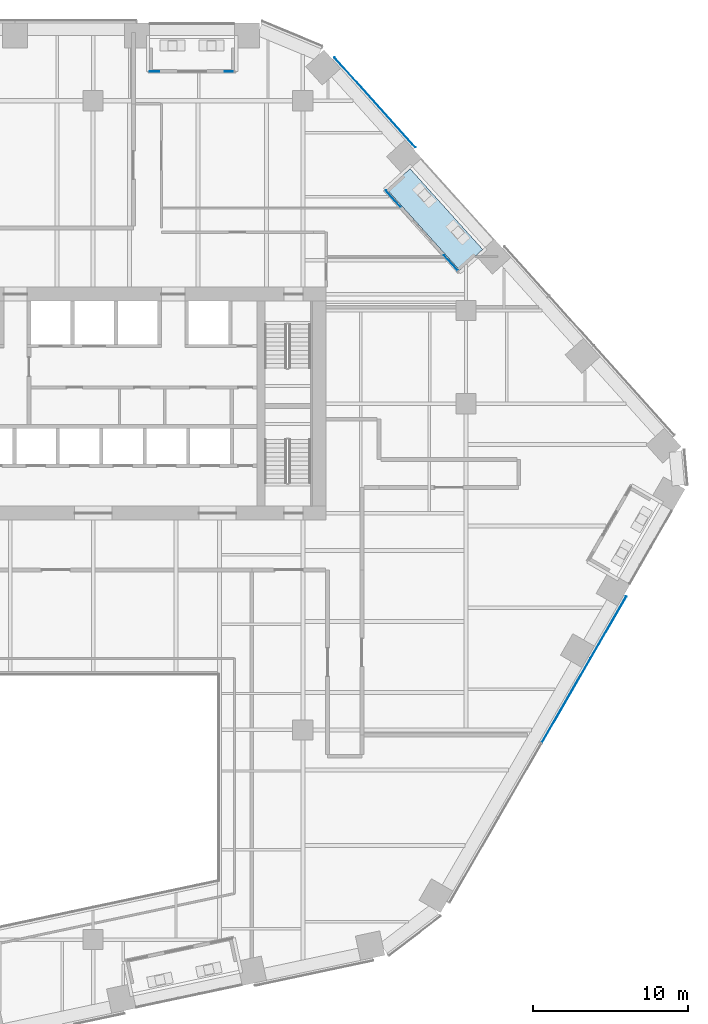
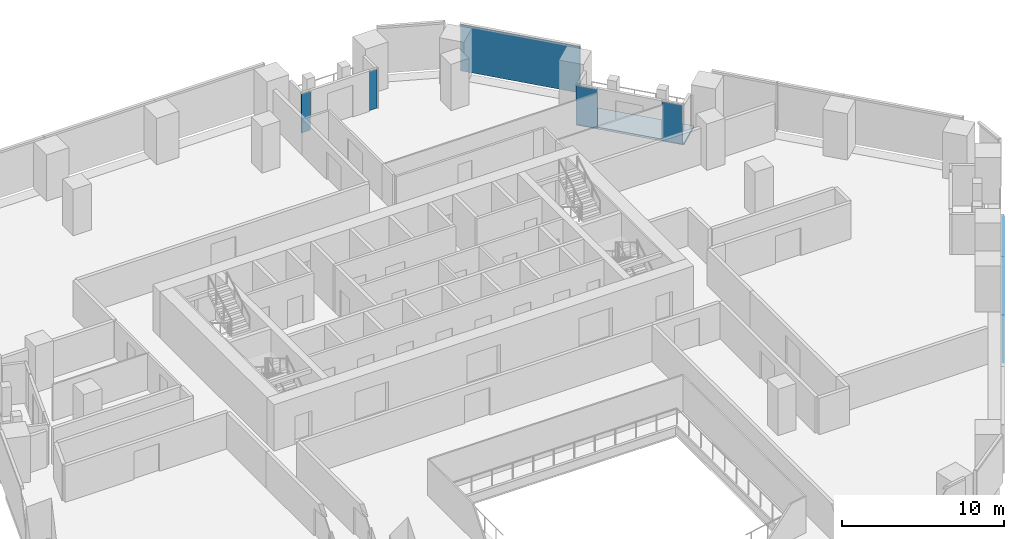
# One storey, part 18 of 28: 7 plates, 1 slab, 4 elements without a shape of their own.
"""IFC4 building model written with IfcOpenShell, lengths in metres."""

from ifc_helpers import new_model, si_unit, direction, frame, origin, origin_2d, place, context, subcontext, project, spatial, polyline, rectangle, outline, extrude, material, layer, layer_set, type_object, element, aggregate, save


model = new_model("IFC4")

# Units and contexts
model_context = context("Model", 3, precision=1e-05, world=origin(), true_north=direction((0.0, 1.0)))
body_context = subcontext(model_context, "Body", "Model", "MODEL_VIEW")
ifc_project = project(units=[si_unit("LENGTHUNIT", "METRE"), si_unit("AREAUNIT", "SQUARE_METRE"), si_unit("VOLUMEUNIT", "CUBIC_METRE"), si_unit("PLANEANGLEUNIT", "RADIAN"), si_unit("MASSUNIT", "GRAM", prefix="KILO")], contexts=[model_context])

# Site, building, storey
site_placement = place(None, origin())
site = spatial("IfcSite", under=ifc_project, at=site_placement, CompositionType="ELEMENT")
building_placement = place(site_placement, origin())
building = spatial("IfcBuilding", under=site, at=building_placement, Name="Isthmus Gate Tower", CompositionType="ELEMENT")
storey_placement = place(building_placement, frame((0.0, 0.0, 84.300048828125)))
storey = spatial("IfcBuildingStorey", under=building, at=storey_placement, Name="L19", CompositionType="ELEMENT", Elevation=84.300048828125)

# Curtain wall, plates
ifc_material_1 = material(Name="Aluminium, pale champagne anodised", Category="aluminium")
ifc_layer_1 = layer(ifc_material_1, 0.199951171875)
ifc_layer_set_1 = layer_set([ifc_layer_1], Name="CW-1 UNITISED CURTAIN WALL 200 DEEP")
curtain_wall_type_1 = type_object("IfcCurtainWallType", Name="CW-1 UNITISED CURTAIN WALL 200 DEEP", PredefinedType="NOTDEFINED", material=ifc_layer_set_1)
curtain_wall_1_placement = place(storey_placement, origin())
curtain_wall_1 = element("IfcCurtainWall", 1, at=curtain_wall_1_placement, inside=storey, type_object=curtain_wall_type_1, Name="CW-1 SE L19", PredefinedType="NOTDEFINED")
ifc_material_2 = material(Name="Laminated low-iron glass, pale blue tint", Category="glass")
ifc_layer_2 = layer(ifc_material_2, 0.0400390625)
ifc_layer_set_2 = layer_set([ifc_layer_2], Name="CW-1 CLEAR GLASS LITE 40")
plate_type_1 = type_object("IfcPlateType", Name="CW-1 CLEAR GLASS LITE 40", PredefinedType="CURTAIN_PANEL", material=ifc_layer_set_2)
plate_1_placement = place(storey_placement, frame((30.4560546875, -11.608642578125, 0.0), z_axis=(0.0, 0.0, 1.0), x_axis=(0.5, 0.866025403784, 0.0)))
plate_1 = element("IfcPlate", 2, at=plate_1_placement, type_object=plate_type_1, Name="CW-1 glass lite", PredefinedType="CURTAIN_PANEL", context=body_context, shape_type="SweptSolid", body=[
    extrude(rectangle(XDim=6.278564453125, YDim=0.0400390625, at=origin_2d()), origin(), (0.0, 0.0, 1.0), 3.5),
])
plate_2_placement = place(storey_placement, frame((33.173828125, -6.901123046875, 0.0), z_axis=(0.0, 0.0, 1.0), x_axis=(0.5, 0.866025403784, 0.0)))
plate_2 = element("IfcPlate", 3, at=plate_2_placement, type_object=plate_type_1, Name="CW-1 glass lite", PredefinedType="CURTAIN_PANEL", context=body_context, shape_type="SweptSolid", body=[
    extrude(rectangle(XDim=4.5927734375, YDim=0.0400390625, at=origin_2d()), origin(), (0.0, 0.0, 1.0), 3.5),
])
aggregate(curtain_wall_1, [plate_1, plate_2])

# Curtain wall, plate
curtain_wall_2_placement = place(storey_placement, origin())
curtain_wall_2 = element("IfcCurtainWall", 4, at=curtain_wall_2_placement, inside=storey, type_object=curtain_wall_type_1, Name="CW-1 NE L19", PredefinedType="NOTDEFINED")
plate_3_placement = place(storey_placement, frame((18.14013671875, 26.900390625, 0.0), z_axis=(0.0, 0.0, 1.0), x_axis=(-0.669130606359, 0.743144825477, 0.0)))
plate_3 = element("IfcPlate", 5, at=plate_3_placement, type_object=plate_type_1, Name="CW-1 glass lite", PredefinedType="CURTAIN_PANEL", context=body_context, shape_type="SweptSolid", body=[
    extrude(rectangle(XDim=7.789306640625, YDim=0.0400390625, at=origin_2d()), origin(), (0.0, 0.0, 1.0), 3.5),
])
aggregate(curtain_wall_2, [plate_3])

# Curtain wall, plates
ifc_material_3 = material(Name="Aluminium, pale champagne anodised", Category="aluminium")
ifc_layer_3 = layer(ifc_material_3, 0.14990234375)
ifc_layer_set_3 = layer_set([ifc_layer_3], Name="CW-6 LOGGIA BACK WALL GLAZING 150 DEEP")
curtain_wall_type_2 = type_object("IfcCurtainWallType", Name="CW-6 LOGGIA BACK WALL GLAZING 150 DEEP", PredefinedType="NOTDEFINED", material=ifc_layer_set_3)
curtain_wall_3_placement = place(storey_placement, origin())
curtain_wall_3 = element("IfcCurtainWall", 6, at=curtain_wall_3_placement, inside=storey, type_object=curtain_wall_type_2, Name="CW-6 N L19", PredefinedType="NOTDEFINED")
ifc_material_4 = material(Name="Laminated low-iron glass, clear", Category="glass")
ifc_layer_4 = layer(ifc_material_4, 0.031982421875)
ifc_layer_set_4 = layer_set([ifc_layer_4], Name="CW-6 CLEAR GLASS LITE 32")
plate_type_2 = type_object("IfcPlateType", Name="CW-6 CLEAR GLASS LITE 32", PredefinedType="CURTAIN_PANEL", material=ifc_layer_set_4)
plate_4_placement = place(storey_placement, frame((8.75439453125, 28.89990234375, 0.0), z_axis=(0.0, 0.0, 1.0), x_axis=(-1.0, 0.0, 0.0)))
plate_4 = element("IfcPlate", 7, at=plate_4_placement, type_object=plate_type_2, Name="CW-6 glass lite", PredefinedType="CURTAIN_PANEL", context=body_context, shape_type="SweptSolid", body=[
    extrude(rectangle(XDim=0.57470703125, YDim=0.031982421875, at=origin_2d()), origin(), (0.0, 0.0, 1.0), 2.929931640625),
])
plate_5_placement = place(storey_placement, frame((3.94970703125, 28.89990234375, 0.0), z_axis=(0.0, 0.0, 1.0), x_axis=(-1.0, 0.0, 0.0)))
plate_5 = element("IfcPlate", 8, at=plate_5_placement, type_object=plate_type_2, Name="CW-6 glass lite", PredefinedType="CURTAIN_PANEL", context=body_context, shape_type="SweptSolid", body=[
    extrude(rectangle(XDim=0.634765625, YDim=0.031982421875, at=origin_2d()), origin(), (0.0, 0.0, 1.0), 2.929931640625),
])
aggregate(curtain_wall_3, [plate_4, plate_5])

curtain_wall_4_placement = place(storey_placement, origin())
curtain_wall_4 = element("IfcCurtainWall", 9, at=curtain_wall_4_placement, inside=storey, type_object=curtain_wall_type_2, Name="CW-6 NE L19", PredefinedType="NOTDEFINED")
plate_6_placement = place(storey_placement, frame((23.0341796875, 16.563232421875, 0.0), z_axis=(0.0, 0.0, 1.0), x_axis=(-0.669130606359, 0.743144825477, 0.0)))
plate_6 = element("IfcPlate", 10, at=plate_6_placement, type_object=plate_type_2, Name="CW-6 glass lite", PredefinedType="CURTAIN_PANEL", context=body_context, shape_type="SweptSolid", body=[
    extrude(rectangle(XDim=1.334716796875, YDim=0.031982421875, at=origin_2d()), origin(), (0.0, 0.0, 1.0), 2.929931640625),
])
plate_7_placement = place(storey_placement, frame((19.310546875, 20.69873046875, 0.0), z_axis=(0.0, 0.0, 1.0), x_axis=(-0.669130606359, 0.743144825477, 0.0)))
plate_7 = element("IfcPlate", 11, at=plate_7_placement, type_object=plate_type_2, Name="CW-6 glass lite", PredefinedType="CURTAIN_PANEL", context=body_context, shape_type="SweptSolid", body=[
    extrude(rectangle(XDim=1.394775390625, YDim=0.031982421875, at=origin_2d()), origin(), (0.0, 0.0, 1.0), 2.929931640625),
])
aggregate(curtain_wall_4, [plate_6, plate_7])

# Slab
ifc_material_5 = material(Name="Concrete f'c 50 MPa", Category="concrete")
ifc_layer_5 = layer(ifc_material_5, 0.14990234375)
ifc_layer_set_5 = layer_set([ifc_layer_5], Name="LOGGIA FLOOR SLAB 150")
slab_type = type_object("IfcSlabType", Name="LOGGIA FLOOR SLAB 150", PredefinedType="FLOOR", material=ifc_layer_set_5)
slab_placement = place(storey_placement, frame((0.0, 0.0, -0.150146484375)))
element("IfcSlab", 12, at=slab_placement, inside=storey, type_object=slab_type, Name="LOGGIA FLOOR", PredefinedType="FLOOR", context=body_context, shape_type="SweptSolid", body=[
    extrude(outline(polyline([(25.08154296875, 17.427978515625), (20.404541015625, 22.6220703125), (18.91845703125, 21.28369140625), (23.59521484375, 16.089599609375), (25.08154296875, 17.427978515625)])), origin(), (0.0, 0.0, 1.0), 0.150146484375),
])

save(model, "model.ifc")
